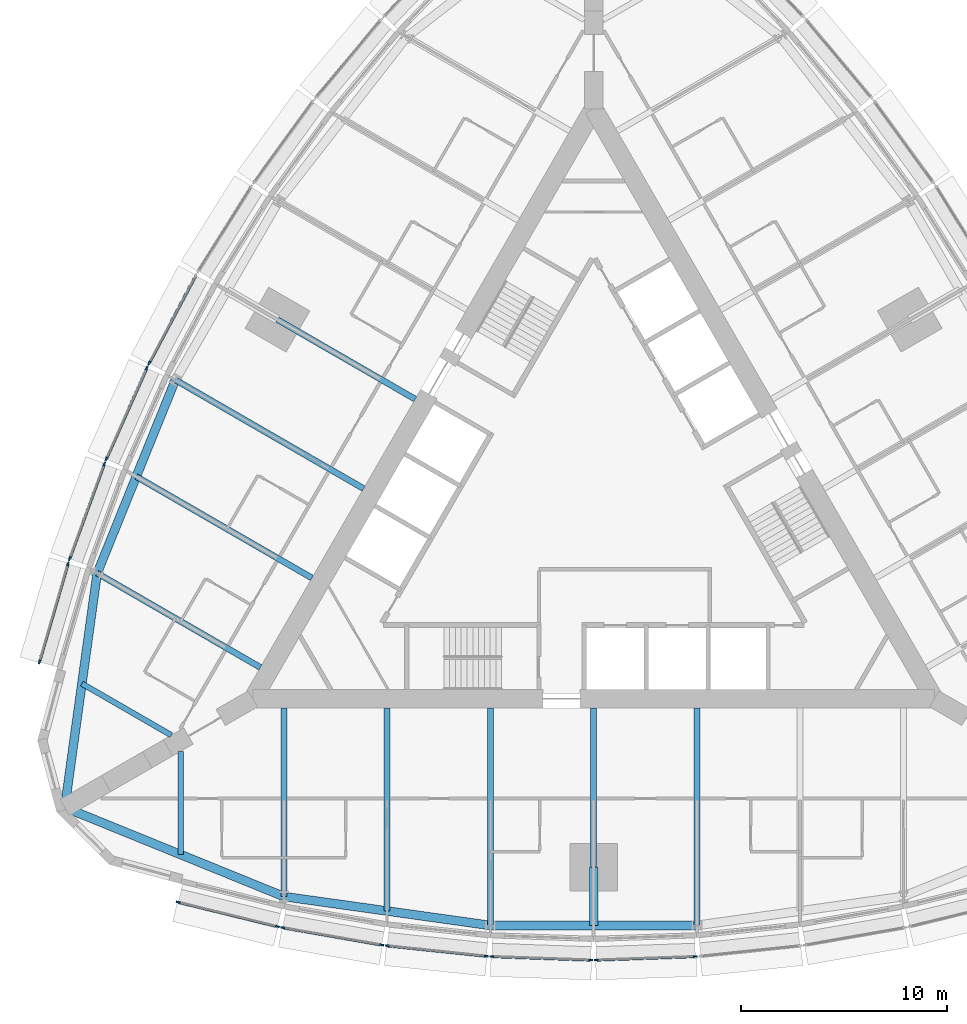
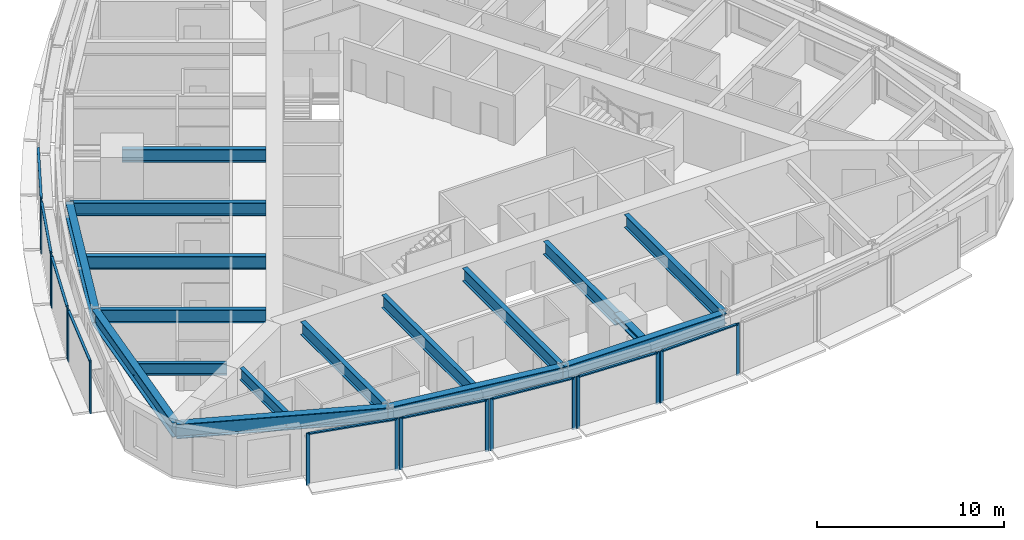
# One storey, part 2 of 14: 26 members, 17 beams, 9 elements without a shape of their own.
"""IFC4 building model written with IfcOpenShell, lengths in metres."""

from ifc_helpers import new_model, si_unit, direction, frame, origin, origin_2d, place, context, subcontext, project, spatial, rectangle, i_section, extrude, material, material_profile, profile_set, type_object, element, aggregate, save


model = new_model("IFC4")

# Units and contexts
model_context = context("Model", 3, precision=1e-05, world=origin(), true_north=direction((0.0, 1.0)))
body_context = subcontext(model_context, "Body", "Model", "MODEL_VIEW")
ifc_project = project(units=[si_unit("LENGTHUNIT", "METRE"), si_unit("AREAUNIT", "SQUARE_METRE"), si_unit("VOLUMEUNIT", "CUBIC_METRE"), si_unit("PLANEANGLEUNIT", "RADIAN"), si_unit("MASSUNIT", "GRAM", prefix="KILO")], contexts=[model_context])

# Site, building, storey
site_placement = place(None, origin())
site = spatial("IfcSite", under=ifc_project, at=site_placement, CompositionType="ELEMENT")
building_placement = place(site_placement, origin())
building = spatial("IfcBuilding", under=site, at=building_placement, Name="Trikona Tower", CompositionType="ELEMENT")
storey_placement = place(building_placement, frame((0.0, 0.0, 141.89990234375)))
storey = spatial("IfcBuildingStorey", under=building, at=storey_placement, Name="L37", CompositionType="ELEMENT", Elevation=141.89990234375)

# Curtain wall, members
ifc_material_1 = material(Name="Aluminium curtain wall system", Category="aluminium")
curtain_wall_type = type_object("IfcCurtainWallType", Name="Curtain wall DS2", PredefinedType="NOTDEFINED", material=ifc_material_1)
curtain_wall_1_placement = place(storey_placement, origin())
curtain_wall_1 = element("IfcCurtainWall", 1, at=curtain_wall_1_placement, inside=storey, type_object=curtain_wall_type, Name="Curtain wall DS2 L37", PredefinedType="NOTDEFINED")
ifc_material_2 = material(Name="Aluminium mullion, pale anodised", Category="aluminium")
ifc_material_profile_1 = material_profile(ifc_material_2, rectangle(XDim=0.080078125, YDim=0.199951171875, at=origin_2d()), Name="MUL-DS2")
ifc_profile_set_1 = profile_set([ifc_material_profile_1], Name="Aluminium mullion, pale anodised")
member_type_1 = type_object("IfcMemberType", Name="Mullion DS2 80x200", PredefinedType="MULLION", material=ifc_profile_set_1)
member_1_placement = place(storey_placement, frame((-20.116943359375, -19.373046875, 0.0), z_axis=(0.0, 0.0, 1.0), x_axis=(0.237970204243, 0.971272455026, 0.0)))
member_1 = element("IfcMember", 2, at=member_1_placement, type_object=member_type_1, Name="CW-DS2 mullion 1", PredefinedType="MULLION", context=body_context, shape_type="SweptSolid", body=[
    extrude(rectangle(XDim=0.080078125, YDim=0.199951171875, at=origin_2d()), origin(), (0.0, 0.0, 1.0), 3.400146484375),
])
member_2_placement = place(storey_placement, frame((-15.311279296875, -20.550537109375, 0.0), z_axis=(0.0, 0.0, 1.0), x_axis=(0.237970204243, 0.971272455026, 0.0)))
member_2 = element("IfcMember", 3, at=member_2_placement, type_object=member_type_1, Name="CW-DS2 mullion 2", PredefinedType="MULLION", context=body_context, shape_type="SweptSolid", body=[
    extrude(rectangle(XDim=0.080078125, YDim=0.199951171875, at=origin_2d()), origin(), (0.0, 0.0, 1.0), 3.400146484375),
])

curtain_wall_2_placement = place(storey_placement, origin())
curtain_wall_2 = element("IfcCurtainWall", 4, at=curtain_wall_2_placement, inside=storey, type_object=curtain_wall_type, Name="Curtain wall DS2 L37", PredefinedType="NOTDEFINED")
member_3_placement = place(storey_placement, frame((-15.056640625, -20.60400390625, 0.0), z_axis=(0.0, 0.0, 1.0), x_axis=(0.17237739505, 0.985030981074, 0.0)))
member_3 = element("IfcMember", 5, at=member_3_placement, type_object=member_type_1, Name="CW-DS2 mullion 1", PredefinedType="MULLION", context=body_context, shape_type="SweptSolid", body=[
    extrude(rectangle(XDim=0.080078125, YDim=0.199951171875, at=origin_2d()), origin(), (0.0, 0.0, 1.0), 3.400146484375),
])
member_4_placement = place(storey_placement, frame((-10.253662109375, -21.444580078125, 0.0), z_axis=(0.0, 0.0, 1.0), x_axis=(0.17237739505, 0.985030981074, 0.0)))
member_4 = element("IfcMember", 6, at=member_4_placement, type_object=member_type_1, Name="CW-DS2 mullion 2", PredefinedType="MULLION", context=body_context, shape_type="SweptSolid", body=[
    extrude(rectangle(XDim=0.080078125, YDim=0.199951171875, at=origin_2d()), origin(), (0.0, 0.0, 1.0), 3.400146484375),
])

curtain_wall_3_placement = place(storey_placement, origin())
curtain_wall_3 = element("IfcCurtainWall", 7, at=curtain_wall_3_placement, inside=storey, type_object=curtain_wall_type, Name="Curtain wall DS2 L37", PredefinedType="NOTDEFINED")
member_5_placement = place(storey_placement, frame((-9.99462890625, -21.480712890625, 0.0), z_axis=(0.0, 0.0, 1.0), x_axis=(0.104433387357, 0.994531883654, 0.0)))
member_5 = element("IfcMember", 8, at=member_5_placement, type_object=member_type_1, Name="CW-DS2 mullion 1", PredefinedType="MULLION", context=body_context, shape_type="SweptSolid", body=[
    extrude(rectangle(XDim=0.080078125, YDim=0.199951171875, at=origin_2d()), origin(), (0.0, 0.0, 1.0), 3.400146484375),
])
member_6_placement = place(storey_placement, frame((-5.193359375, -21.98486328125, 0.0), z_axis=(0.0, 0.0, 1.0), x_axis=(0.104433387357, 0.994531883654, 0.0)))
member_6 = element("IfcMember", 9, at=member_6_placement, type_object=member_type_1, Name="CW-DS2 mullion 2", PredefinedType="MULLION", context=body_context, shape_type="SweptSolid", body=[
    extrude(rectangle(XDim=0.080078125, YDim=0.199951171875, at=origin_2d()), origin(), (0.0, 0.0, 1.0), 3.400146484375),
])

curtain_wall_4_placement = place(storey_placement, origin())
curtain_wall_4 = element("IfcCurtainWall", 10, at=curtain_wall_4_placement, inside=storey, type_object=curtain_wall_type, Name="Curtain wall DS2 L37", PredefinedType="NOTDEFINED")
member_7_placement = place(storey_placement, frame((-4.931640625, -22.003173828125, 0.0), z_axis=(0.0, 0.0, 1.0), x_axis=(0.034998320052, 0.99938737114, 0.0)))
member_7 = element("IfcMember", 11, at=member_7_placement, type_object=member_type_1, Name="CW-DS2 mullion 1", PredefinedType="MULLION", context=body_context, shape_type="SweptSolid", body=[
    extrude(rectangle(XDim=0.080078125, YDim=0.199951171875, at=origin_2d()), origin(), (0.0, 0.0, 1.0), 3.400146484375),
])
member_8_placement = place(storey_placement, frame((-0.13134765625, -22.171142578125, 0.0), z_axis=(0.0, 0.0, 1.0), x_axis=(0.034998320052, 0.99938737114, 0.0)))
member_8 = element("IfcMember", 12, at=member_8_placement, type_object=member_type_1, Name="CW-DS2 mullion 2", PredefinedType="MULLION", context=body_context, shape_type="SweptSolid", body=[
    extrude(rectangle(XDim=0.080078125, YDim=0.199951171875, at=origin_2d()), origin(), (0.0, 0.0, 1.0), 3.400146484375),
])

curtain_wall_5_placement = place(storey_placement, origin())
curtain_wall_5 = element("IfcCurtainWall", 13, at=curtain_wall_5_placement, inside=storey, type_object=curtain_wall_type, Name="Curtain wall DS2 L37", PredefinedType="NOTDEFINED")
member_9_placement = place(storey_placement, frame((0.13134765625, -22.171142578125, 0.0), z_axis=(0.0, 0.0, 1.0), x_axis=(-0.034998320052, 0.99938737114, 0.0)))
member_9 = element("IfcMember", 14, at=member_9_placement, type_object=member_type_1, Name="CW-DS2 mullion 1", PredefinedType="MULLION", context=body_context, shape_type="SweptSolid", body=[
    extrude(rectangle(XDim=0.080078125, YDim=0.199951171875, at=origin_2d()), origin(), (0.0, 0.0, 1.0), 3.400146484375),
])
member_10_placement = place(storey_placement, frame((4.931640625, -22.003173828125, 0.0), z_axis=(0.0, 0.0, 1.0), x_axis=(-0.034998320052, 0.99938737114, 0.0)))
member_10 = element("IfcMember", 15, at=member_10_placement, type_object=member_type_1, Name="CW-DS2 mullion 2", PredefinedType="MULLION", context=body_context, shape_type="SweptSolid", body=[
    extrude(rectangle(XDim=0.080078125, YDim=0.199951171875, at=origin_2d()), origin(), (0.0, 0.0, 1.0), 3.400146484375),
])

# Curtain wall, member
curtain_wall_6_placement = place(storey_placement, origin())
curtain_wall_6 = element("IfcCurtainWall", 16, at=curtain_wall_6_placement, inside=storey, type_object=curtain_wall_type, Name="Curtain wall DS2 L37", PredefinedType="NOTDEFINED")
member_11_placement = place(storey_placement, frame((-21.52099609375, 6.730712890625, 0.0), z_axis=(0.0, 0.0, 1.0), x_axis=(0.882996107343, -0.469380308937, 0.0)))
member_11 = element("IfcMember", 17, at=member_11_placement, type_object=member_type_1, Name="CW-DS2 mullion 2", PredefinedType="MULLION", context=body_context, shape_type="SweptSolid", body=[
    extrude(rectangle(XDim=0.080078125, YDim=0.199951171875, at=origin_2d()), origin(), (0.0, 0.0, 1.0), 3.400146484375),
])

# Curtain wall, members
curtain_wall_7_placement = place(storey_placement, origin())
curtain_wall_7 = element("IfcCurtainWall", 18, at=curtain_wall_7_placement, inside=storey, type_object=curtain_wall_type, Name="Curtain wall DS2 L37", PredefinedType="NOTDEFINED")
member_12_placement = place(storey_placement, frame((-21.63623046875, 6.494873046875, 0.0), z_axis=(0.0, 0.0, 1.0), x_axis=(0.913501208767, -0.406836013132, 0.0)))
member_12 = element("IfcMember", 19, at=member_12_placement, type_object=member_type_1, Name="CW-DS2 mullion 1", PredefinedType="MULLION", context=body_context, shape_type="SweptSolid", body=[
    extrude(rectangle(XDim=0.080078125, YDim=0.199951171875, at=origin_2d()), origin(), (0.0, 0.0, 1.0), 3.400146484375),
])
member_13_placement = place(storey_placement, frame((-23.60009765625, 2.0849609375, 0.0), z_axis=(0.0, 0.0, 1.0), x_axis=(0.913501208767, -0.406836013132, 0.0)))
member_13 = element("IfcMember", 20, at=member_13_placement, type_object=member_type_1, Name="CW-DS2 mullion 2", PredefinedType="MULLION", context=body_context, shape_type="SweptSolid", body=[
    extrude(rectangle(XDim=0.080078125, YDim=0.199951171875, at=origin_2d()), origin(), (0.0, 0.0, 1.0), 3.400146484375),
])

curtain_wall_8_placement = place(storey_placement, origin())
curtain_wall_8 = element("IfcCurtainWall", 21, at=curtain_wall_8_placement, inside=storey, type_object=curtain_wall_type, Name="Curtain wall DS2 L37", PredefinedType="NOTDEFINED")
member_14_placement = place(storey_placement, frame((-23.6982421875, 1.84228515625, 0.0), z_axis=(0.0, 0.0, 1.0), x_axis=(0.939253790978, -0.343223420143, 0.0)))
member_14 = element("IfcMember", 22, at=member_14_placement, type_object=member_type_1, Name="CW-DS2 mullion 1", PredefinedType="MULLION", context=body_context, shape_type="SweptSolid", body=[
    extrude(rectangle(XDim=0.080078125, YDim=0.199951171875, at=origin_2d()), origin(), (0.0, 0.0, 1.0), 3.400146484375),
])
member_15_placement = place(storey_placement, frame((-25.371826171875, -2.737548828125, 0.0), z_axis=(0.0, 0.0, 1.0), x_axis=(0.939253790978, -0.343223420143, 0.0)))
member_15 = element("IfcMember", 23, at=member_15_placement, type_object=member_type_1, Name="CW-DS2 mullion 2", PredefinedType="MULLION", context=body_context, shape_type="SweptSolid", body=[
    extrude(rectangle(XDim=0.080078125, YDim=0.199951171875, at=origin_2d()), origin(), (0.0, 0.0, 1.0), 3.400146484375),
])

curtain_wall_9_placement = place(storey_placement, origin())
curtain_wall_9 = element("IfcCurtainWall", 24, at=curtain_wall_9_placement, inside=storey, type_object=curtain_wall_type, Name="Curtain wall DS2 L37", PredefinedType="NOTDEFINED")
member_16_placement = place(storey_placement, frame((-25.452880859375, -2.984619140625, 0.0), z_axis=(0.0, 0.0, 1.0), x_axis=(0.96013310152, -0.279543247757, 0.0)))
member_16 = element("IfcMember", 25, at=member_16_placement, type_object=member_type_1, Name="CW-DS2 mullion 1", PredefinedType="MULLION", context=body_context, shape_type="SweptSolid", body=[
    extrude(rectangle(XDim=0.080078125, YDim=0.199951171875, at=origin_2d()), origin(), (0.0, 0.0, 1.0), 3.400146484375),
])
member_17_placement = place(storey_placement, frame((-26.836181640625, -7.7353515625, 0.0), z_axis=(0.0, 0.0, 1.0), x_axis=(0.96013310152, -0.279543247757, 0.0)))
member_17 = element("IfcMember", 26, at=member_17_placement, type_object=member_type_1, Name="CW-DS2 mullion 2", PredefinedType="MULLION", context=body_context, shape_type="SweptSolid", body=[
    extrude(rectangle(XDim=0.080078125, YDim=0.199951171875, at=origin_2d()), origin(), (0.0, 0.0, 1.0), 3.400146484375),
])

# Beams
ifc_material_3 = material(Name="Steel ASTM A992 Grade 50", Category="steel")
ifc_material_profile_2 = material_profile(ifc_material_3, i_section(OverallWidth=0.419189453125, OverallDepth=0.45458984375, WebThickness=0.042236328125, FlangeThickness=0.067626953125, at=origin_2d()), Name="W14X370")
ifc_profile_set_2 = profile_set([ifc_material_profile_2], Name="Steel ASTM A992 Grade 50")
beam_type_1 = type_object("IfcBeamType", Name="Steel beam W14x370 (apex bracket)", PredefinedType="BEAM", material=ifc_profile_set_2)
beam_1_placement = place(storey_placement, frame((0.0, -17.680419921875, 3.0078125), z_axis=(0.0, -1.0, 0.0), x_axis=(1.0, 0.0, 0.0)))
element("IfcBeam", 27, at=beam_1_placement, inside=storey, type_object=beam_type_1, Name="Cantilever bracket L38 F1", PredefinedType="BEAM", context=body_context, shape_type="SweptSolid", body=[
    extrude(i_section(OverallWidth=0.419189453125, OverallDepth=0.45458984375, WebThickness=0.042236328125, FlangeThickness=0.067626953125, at=origin_2d()), origin(), (0.0, 0.0, 1.0), 2.81982421875),
])
ifc_material_4 = material(Name="Steel ASTM A992 Grade 50", Category="steel")
ifc_material_profile_3 = material_profile(ifc_material_4, i_section(OverallWidth=0.2666015625, OverallDepth=0.76953125, WebThickness=0.015625, FlangeThickness=0.025390625, at=origin_2d()), Name="W30X132")
ifc_profile_set_3 = profile_set([ifc_material_profile_3], Name="Steel ASTM A992 Grade 50")
beam_type_2 = type_object("IfcBeamType", Name="Steel beam W30x132 (wedge)", PredefinedType="BEAM", material=ifc_profile_set_3)
beam_2_placement = place(storey_placement, frame((-20.0, -12.066650390625, 2.850341796875), z_axis=(0.0, -1.0, 0.0), x_axis=(1.0, 0.0, 0.0)))
element("IfcBeam", 28, at=beam_2_placement, inside=storey, type_object=beam_type_2, Name="Floor beam L38 F1 u-20", PredefinedType="BEAM", context=body_context, shape_type="SweptSolid", body=[
    extrude(i_section(OverallWidth=0.2666015625, OverallDepth=0.76953125, WebThickness=0.015625, FlangeThickness=0.025390625, at=origin_2d()), origin(), (0.0, 0.0, 1.0), 5.00048828125),
])
beam_3_placement = place(storey_placement, frame((-20.449951171875, -11.287109375, 2.850341796875), z_axis=(-0.866038434829, 0.49997742889, 0.0), x_axis=(-0.49997742889, -0.866038434829, 0.0)))
element("IfcBeam", 29, at=beam_3_placement, inside=storey, type_object=beam_type_2, Name="Floor beam L38 F3 u20", PredefinedType="BEAM", context=body_context, shape_type="SweptSolid", body=[
    extrude(i_section(OverallWidth=0.2666015625, OverallDepth=0.76953125, WebThickness=0.015625, FlangeThickness=0.025390625, at=origin_2d()), origin(), (0.0, 0.0, 1.0), 5.000732421875),
])
ifc_material_5 = material(Name="Steel ASTM A992 Grade 50", Category="steel")
ifc_material_profile_4 = material_profile(ifc_material_5, i_section(OverallWidth=0.2919921875, OverallDepth=0.845703125, WebThickness=0.015380859375, FlangeThickness=0.0244140625, at=origin_2d()), Name="W33X141")
ifc_profile_set_4 = profile_set([ifc_material_profile_4], Name="Steel ASTM A992 Grade 50")
beam_type_3 = type_object("IfcBeamType", Name="Steel beam W33x141 (radial typ)", PredefinedType="BEAM", material=ifc_profile_set_4)
beam_4_placement = place(storey_placement, frame((-15.0, -9.976318359375, 2.812255859375), z_axis=(0.0, -1.0, 0.0), x_axis=(1.0, 0.0, 0.0)))
element("IfcBeam", 30, at=beam_4_placement, inside=storey, type_object=beam_type_3, Name="Floor beam L38 F1 u-15", PredefinedType="BEAM", context=body_context, shape_type="SweptSolid", body=[
    extrude(i_section(OverallWidth=0.2919921875, OverallDepth=0.845703125, WebThickness=0.015380859375, FlangeThickness=0.0244140625, at=origin_2d()), origin(), (0.0, 0.0, 1.0), 9.123779296875),
])
beam_5_placement = place(storey_placement, frame((-10.0, -9.976318359375, 2.812255859375), z_axis=(0.0, -1.0, 0.0), x_axis=(1.0, 0.0, 0.0)))
element("IfcBeam", 31, at=beam_5_placement, inside=storey, type_object=beam_type_3, Name="Floor beam L38 F1 u-10", PredefinedType="BEAM", context=body_context, shape_type="SweptSolid", body=[
    extrude(i_section(OverallWidth=0.2919921875, OverallDepth=0.845703125, WebThickness=0.015380859375, FlangeThickness=0.0244140625, at=origin_2d()), origin(), (0.0, 0.0, 1.0), 9.823974609375),
])
beam_6_placement = place(storey_placement, frame((-5.0, -9.976318359375, 2.812255859375), z_axis=(0.0, -1.0, 0.0), x_axis=(1.0, 0.0, 0.0)))
element("IfcBeam", 32, at=beam_6_placement, inside=storey, type_object=beam_type_3, Name="Floor beam L38 F1 u-5", PredefinedType="BEAM", context=body_context, shape_type="SweptSolid", body=[
    extrude(i_section(OverallWidth=0.2919921875, OverallDepth=0.845703125, WebThickness=0.015380859375, FlangeThickness=0.0244140625, at=origin_2d()), origin(), (0.0, 0.0, 1.0), 10.52392578125),
])
beam_7_placement = place(storey_placement, frame((0.0, -9.976318359375, 2.812255859375), z_axis=(0.0, -1.0, 0.0), x_axis=(1.0, 0.0, 0.0)))
element("IfcBeam", 33, at=beam_7_placement, inside=storey, type_object=beam_type_3, Name="Floor beam L38 F1 u0", PredefinedType="BEAM", context=body_context, shape_type="SweptSolid", body=[
    extrude(i_section(OverallWidth=0.2919921875, OverallDepth=0.845703125, WebThickness=0.015380859375, FlangeThickness=0.0244140625, at=origin_2d()), origin(), (0.0, 0.0, 1.0), 7.7041015625),
])
beam_8_placement = place(storey_placement, frame((5.0, -9.976318359375, 2.812255859375), z_axis=(0.0, -1.0, 0.0), x_axis=(1.0, 0.0, 0.0)))
element("IfcBeam", 34, at=beam_8_placement, inside=storey, type_object=beam_type_3, Name="Floor beam L38 F1 u5", PredefinedType="BEAM", context=body_context, shape_type="SweptSolid", body=[
    extrude(i_section(OverallWidth=0.2919921875, OverallDepth=0.845703125, WebThickness=0.015380859375, FlangeThickness=0.0244140625, at=origin_2d()), origin(), (0.0, 0.0, 1.0), 10.52392578125),
])
beam_9_placement = place(storey_placement, frame((-8.6396484375, 4.988037109375, 2.812255859375), z_axis=(-0.866017246294, 0.500014128921, 0.0), x_axis=(-0.500014128921, -0.866017246294, 0.0)))
element("IfcBeam", 35, at=beam_9_placement, inside=storey, type_object=beam_type_3, Name="Floor beam L38 F3 u0", PredefinedType="BEAM", context=body_context, shape_type="SweptSolid", body=[
    extrude(i_section(OverallWidth=0.2919921875, OverallDepth=0.845703125, WebThickness=0.015380859375, FlangeThickness=0.0244140625, at=origin_2d()), origin(), (0.0, 0.0, 1.0), 7.704345703125),
])
beam_10_placement = place(storey_placement, frame((-11.1396484375, 0.657958984375, 2.812255859375), z_axis=(-0.866026035623, 0.499998905622, 0.0), x_axis=(-0.499998905622, -0.866026035623, 0.0)))
element("IfcBeam", 36, at=beam_10_placement, inside=storey, type_object=beam_type_3, Name="Floor beam L38 F3 u5", PredefinedType="BEAM", context=body_context, shape_type="SweptSolid", body=[
    extrude(i_section(OverallWidth=0.2919921875, OverallDepth=0.845703125, WebThickness=0.015380859375, FlangeThickness=0.0244140625, at=origin_2d()), origin(), (0.0, 0.0, 1.0), 10.52392578125),
])
beam_11_placement = place(storey_placement, frame((-13.6396484375, -3.672119140625, 2.812255859375), z_axis=(-0.866020046725, 0.500009278584, 0.0), x_axis=(-0.500009278584, -0.866020046725, 0.0)))
element("IfcBeam", 37, at=beam_11_placement, inside=storey, type_object=beam_type_3, Name="Floor beam L38 F3 u10", PredefinedType="BEAM", context=body_context, shape_type="SweptSolid", body=[
    extrude(i_section(OverallWidth=0.2919921875, OverallDepth=0.845703125, WebThickness=0.015380859375, FlangeThickness=0.0244140625, at=origin_2d()), origin(), (0.0, 0.0, 1.0), 9.823974609375),
])
beam_12_placement = place(storey_placement, frame((-16.1396484375, -8.002197265625, 2.812255859375), z_axis=(-0.866024725532, 0.500001174766, 0.0), x_axis=(-0.500001174766, -0.866024725532, 0.0)))
element("IfcBeam", 38, at=beam_12_placement, inside=storey, type_object=beam_type_3, Name="Floor beam L38 F3 u15", PredefinedType="BEAM", context=body_context, shape_type="SweptSolid", body=[
    extrude(i_section(OverallWidth=0.2919921875, OverallDepth=0.845703125, WebThickness=0.015380859375, FlangeThickness=0.0244140625, at=origin_2d()), origin(), (0.0, 0.0, 1.0), 9.1240234375),
])
ifc_material_6 = material(Name="Steel ASTM A992 Grade 50", Category="steel")
ifc_material_profile_5 = material_profile(ifc_material_6, i_section(OverallWidth=0.424072265625, OverallDepth=0.947509765625, WebThickness=0.02392578125, FlangeThickness=0.042724609375, at=origin_2d()), Name="W36X302")
ifc_profile_set_5 = profile_set([ifc_material_profile_5], Name="Steel ASTM A992 Grade 50")
beam_type_4 = type_object("IfcBeamType", Name="Steel beam W36x302 (spandrel)", PredefinedType="SPANDREL", material=ifc_profile_set_5)
beam_13_placement = place(storey_placement, frame((-25.6103515625, -14.7861328125, 2.761474609375), z_axis=(0.926359695662, -0.376640032728, 0.0), x_axis=(0.376640032728, 0.926359695662, 0.0)))
element("IfcBeam", 39, at=beam_13_placement, inside=storey, type_object=beam_type_4, Name="Spandrel beam L38 F1-1", PredefinedType="SPANDREL", context=body_context, shape_type="SweptSolid", body=[
    extrude(i_section(OverallWidth=0.424072265625, OverallDepth=0.947509765625, WebThickness=0.02392578125, FlangeThickness=0.042724609375, at=origin_2d()), origin(), (0.0, 0.0, 1.0), 11.453857421875),
])
beam_14_placement = place(storey_placement, frame((-15.0, -19.10009765625, 2.761474609375), z_axis=(0.990339754644, -0.13866207258, 0.0), x_axis=(0.13866207258, 0.990339754644, 0.0)))
element("IfcBeam", 40, at=beam_14_placement, inside=storey, type_object=beam_type_4, Name="Spandrel beam L38 F1-2", PredefinedType="SPANDREL", context=body_context, shape_type="SweptSolid", body=[
    extrude(i_section(OverallWidth=0.424072265625, OverallDepth=0.947509765625, WebThickness=0.02392578125, FlangeThickness=0.042724609375, at=origin_2d()), origin(), (0.0, 0.0, 1.0), 10.09765625),
])
beam_15_placement = place(storey_placement, frame((-5.0, -20.500244140625, 2.761474609375), z_axis=(1.0, 0.0, 0.0), x_axis=(0.0, 1.0, 0.0)))
element("IfcBeam", 41, at=beam_15_placement, inside=storey, type_object=beam_type_4, Name="Spandrel beam L38 F1-3", PredefinedType="SPANDREL", context=body_context, shape_type="SweptSolid", body=[
    extrude(i_section(OverallWidth=0.424072265625, OverallDepth=0.947509765625, WebThickness=0.02392578125, FlangeThickness=0.042724609375, at=origin_2d()), origin(), (0.0, 0.0, 1.0), 10.0),
])
beam_16_placement = place(storey_placement, frame((-20.253662109375, 5.919921875, 2.761474609375), z_axis=(-0.375106193787, -0.926981846307, 0.0), x_axis=(0.926981846307, -0.375106193787, 0.0)))
element("IfcBeam", 42, at=beam_16_placement, inside=storey, type_object=beam_type_4, Name="Spandrel beam L38 F3-4", PredefinedType="SPANDREL", context=body_context, shape_type="SweptSolid", body=[
    extrude(i_section(OverallWidth=0.424072265625, OverallDepth=0.947509765625, WebThickness=0.02392578125, FlangeThickness=0.042724609375, at=origin_2d()), origin(), (0.0, 0.0, 1.0), 10.097412109375),
])
beam_17_placement = place(storey_placement, frame((-24.041259765625, -3.440185546875, 2.761474609375), z_axis=(-0.136991535842, -0.990572218017, 0.0), x_axis=(0.990572218017, -0.136991535842, 0.0)))
element("IfcBeam", 43, at=beam_17_placement, inside=storey, type_object=beam_type_4, Name="Spandrel beam L38 F3-5", PredefinedType="SPANDREL", context=body_context, shape_type="SweptSolid", body=[
    extrude(i_section(OverallWidth=0.424072265625, OverallDepth=0.947509765625, WebThickness=0.02392578125, FlangeThickness=0.042724609375, at=origin_2d()), origin(), (0.0, 0.0, 1.0), 11.453857421875),
])

# Member
ifc_material_7 = material(Name="Aluminium transom, pale anodised", Category="aluminium")
ifc_material_profile_6 = material_profile(ifc_material_7, rectangle(XDim=0.139892578125, YDim=0.080078125, at=origin_2d()), Name="TRN-DS2")
ifc_profile_set_6 = profile_set([ifc_material_profile_6], Name="Aluminium transom, pale anodised")
member_type_2 = type_object("IfcMemberType", Name="Transom DS2 80x140", PredefinedType="USERDEFINED", material=ifc_profile_set_6)
member_18_placement = place(storey_placement, frame((-20.078125, -19.382568359375, 3.360107421875), z_axis=(0.971270583303, -0.237977843528, 0.0), x_axis=(0.237977843528, 0.971270583303, 0.0)))
member_18 = element("IfcMember", 44, at=member_18_placement, type_object=member_type_2, Name="CW-DS2 transom 1.1", ObjectType="TRANSOM", PredefinedType="USERDEFINED", context=body_context, shape_type="SweptSolid", body=[
    extrude(rectangle(XDim=0.139892578125, YDim=0.080078125, at=origin_2d()), origin(), (0.0, 0.0, 1.0), 4.867919921875),
])

aggregate(curtain_wall_1, [member_1, member_2, member_18])

member_19_placement = place(storey_placement, frame((-15.01708984375, -20.61083984375, 3.360107421875), z_axis=(0.98503262804, -0.172367983387, 0.0), x_axis=(0.172367983387, 0.98503262804, 0.0)))
member_19 = element("IfcMember", 45, at=member_19_placement, type_object=member_type_2, Name="CW-DS2 transom 1.1", ObjectType="TRANSOM", PredefinedType="USERDEFINED", context=body_context, shape_type="SweptSolid", body=[
    extrude(rectangle(XDim=0.139892578125, YDim=0.080078125, at=origin_2d()), origin(), (0.0, 0.0, 1.0), 4.7958984375),
])

aggregate(curtain_wall_2, [member_3, member_4, member_19])

member_20_placement = place(storey_placement, frame((-9.954833984375, -21.48486328125, 3.360107421875), z_axis=(0.99453106441, -0.104441188822, 0.0), x_axis=(0.104441188822, 0.99453106441, 0.0)))
member_20 = element("IfcMember", 46, at=member_20_placement, type_object=member_type_2, Name="CW-DS2 transom 1.1", ObjectType="TRANSOM", PredefinedType="USERDEFINED", context=body_context, shape_type="SweptSolid", body=[
    extrude(rectangle(XDim=0.139892578125, YDim=0.080078125, at=origin_2d()), origin(), (0.0, 0.0, 1.0), 4.74755859375),
])

aggregate(curtain_wall_3, [member_5, member_6, member_20])

member_21_placement = place(storey_placement, frame((-4.8916015625, -22.00439453125, 3.360107421875), z_axis=(0.999385692759, -0.035046213908, 0.0), x_axis=(0.035046213908, 0.999385692759, 0.0)))
member_21 = element("IfcMember", 47, at=member_21_placement, type_object=member_type_2, Name="CW-DS2 transom 1.1", ObjectType="TRANSOM", PredefinedType="USERDEFINED", context=body_context, shape_type="SweptSolid", body=[
    extrude(rectangle(XDim=0.139892578125, YDim=0.080078125, at=origin_2d()), origin(), (0.0, 0.0, 1.0), 4.72314453125),
])

aggregate(curtain_wall_4, [member_7, member_8, member_21])

member_22_placement = place(storey_placement, frame((0.17138671875, -22.169921875, 3.360107421875), z_axis=(0.999385692759, 0.035046213908, 0.0), x_axis=(-0.035046213908, 0.999385692759, 0.0)))
member_22 = element("IfcMember", 48, at=member_22_placement, type_object=member_type_2, Name="CW-DS2 transom 1.1", ObjectType="TRANSOM", PredefinedType="USERDEFINED", context=body_context, shape_type="SweptSolid", body=[
    extrude(rectangle(XDim=0.139892578125, YDim=0.080078125, at=origin_2d()), origin(), (0.0, 0.0, 1.0), 4.72314453125),
])

aggregate(curtain_wall_5, [member_9, member_10, member_22])

member_23_placement = place(storey_placement, frame((-19.285400390625, 10.9365234375, 3.360107421875), z_axis=(-0.469364343408, -0.883004594063, 0.0), x_axis=(0.883004594063, -0.469364343408, 0.0)))
member_23 = element("IfcMember", 49, at=member_23_placement, type_object=member_type_2, Name="CW-DS2 transom 1.1", ObjectType="TRANSOM", PredefinedType="USERDEFINED", context=body_context, shape_type="SweptSolid", body=[
    extrude(rectangle(XDim=0.139892578125, YDim=0.080078125, at=origin_2d()), origin(), (0.0, 0.0, 1.0), 4.722900390625),
])

aggregate(curtain_wall_6, [member_11, member_23])

member_24_placement = place(storey_placement, frame((-21.65234375, 6.458251953125, 3.360107421875), z_axis=(-0.406839769607, -0.913499535778, 0.0), x_axis=(0.913499535778, -0.406839769607, 0.0)))
member_24 = element("IfcMember", 50, at=member_24_placement, type_object=member_type_2, Name="CW-DS2 transom 1.1", ObjectType="TRANSOM", PredefinedType="USERDEFINED", context=body_context, shape_type="SweptSolid", body=[
    extrude(rectangle(XDim=0.139892578125, YDim=0.080078125, at=origin_2d()), origin(), (0.0, 0.0, 1.0), 4.747314453125),
])

aggregate(curtain_wall_7, [member_12, member_13, member_24])

member_25_placement = place(storey_placement, frame((-23.712158203125, 1.8046875, 3.360107421875), z_axis=(-0.343205907674, -0.939260190223, 0.0), x_axis=(0.939260190223, -0.343205907674, 0.0)))
member_25 = element("IfcMember", 51, at=member_25_placement, type_object=member_type_2, Name="CW-DS2 transom 1.1", ObjectType="TRANSOM", PredefinedType="USERDEFINED", context=body_context, shape_type="SweptSolid", body=[
    extrude(rectangle(XDim=0.139892578125, YDim=0.080078125, at=origin_2d()), origin(), (0.0, 0.0, 1.0), 4.7958984375),
])

aggregate(curtain_wall_8, [member_14, member_15, member_25])

member_26_placement = place(storey_placement, frame((-25.464111328125, -3.023193359375, 3.360107421875), z_axis=(-0.279566628153, -0.960126293996, 0.0), x_axis=(0.960126293996, -0.279566628153, 0.0)))
member_26 = element("IfcMember", 52, at=member_26_placement, type_object=member_type_2, Name="CW-DS2 transom 1.1", ObjectType="TRANSOM", PredefinedType="USERDEFINED", context=body_context, shape_type="SweptSolid", body=[
    extrude(rectangle(XDim=0.139892578125, YDim=0.080078125, at=origin_2d()), origin(), (0.0, 0.0, 1.0), 4.86767578125),
])

aggregate(curtain_wall_9, [member_16, member_17, member_26])

save(model, "model.ifc")
